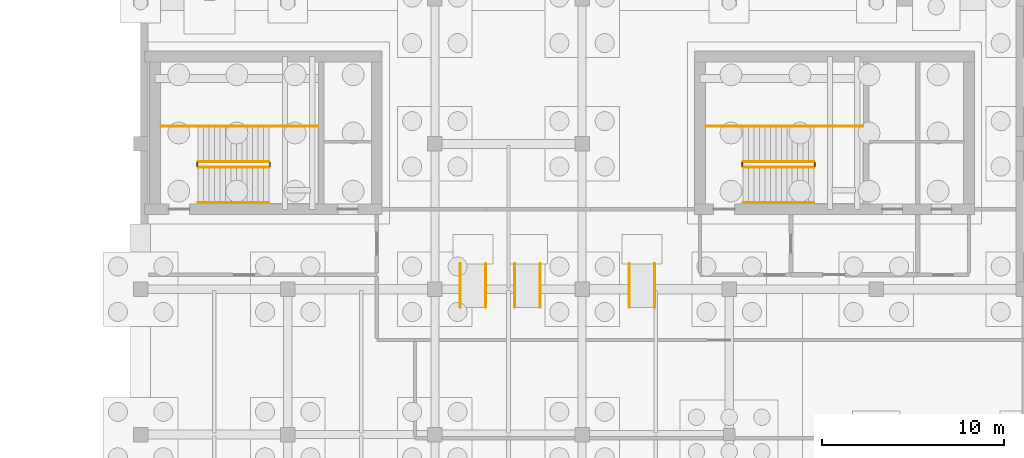
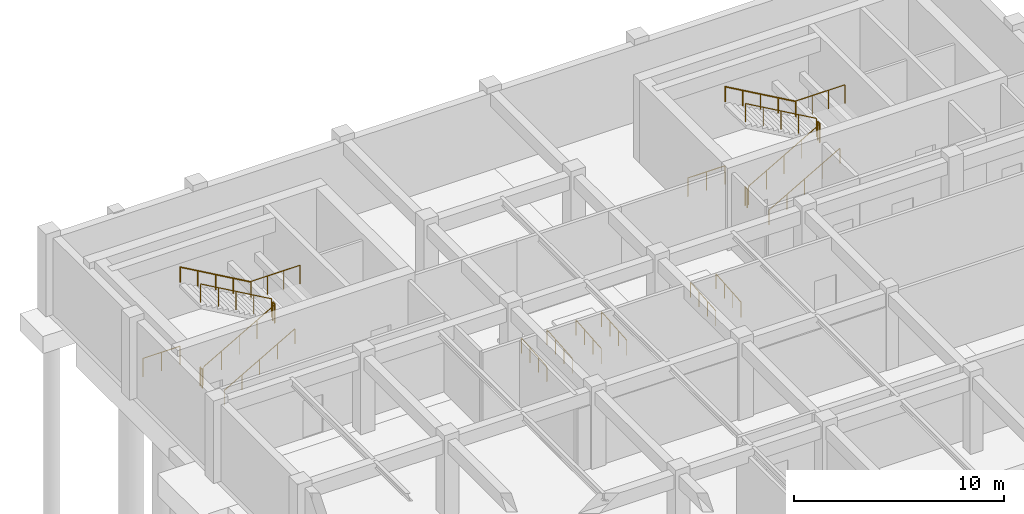
# One storey, part 24 of 25: 22 railings.
"""IFC4 building model written with IfcOpenShell, lengths in metres."""

from ifc_helpers import new_model, si_unit, direction, frame, origin, origin_2d, place, context, subcontext, project, spatial, circle, extrude, material, type_object, element, save


model = new_model("IFC4")

# Units and contexts
model_context = context("Model", 3, precision=1e-05, world=origin(), true_north=direction((0.0, 1.0)))
body_context = subcontext(model_context, "Body", "Model", "MODEL_VIEW")
ifc_project = project(units=[si_unit("LENGTHUNIT", "METRE"), si_unit("AREAUNIT", "SQUARE_METRE"), si_unit("VOLUMEUNIT", "CUBIC_METRE"), si_unit("PLANEANGLEUNIT", "RADIAN"), si_unit("MASSUNIT", "GRAM", prefix="KILO")], contexts=[model_context])

# Site, building, storey
site_placement = place(None, origin())
site = spatial("IfcSite", under=ifc_project, at=site_placement, CompositionType="ELEMENT")
building_placement = place(site_placement, origin())
building = spatial("IfcBuilding", under=site, at=building_placement, Name="Tarnveldt Square Police Headquarters", CompositionType="ELEMENT")
storey_placement = place(building_placement, frame((0.0, 0.0, -4.800048828125)))
storey = spatial("IfcBuildingStorey", under=building, at=storey_placement, Name="B1", CompositionType="ELEMENT", Elevation=-4.800048828125)

# Railings
ifc_material = material(Name="Steel 350W", Category="steel")
railing_type_1 = type_object("IfcRailingType", Name="RL-GR-1100", PredefinedType="GUARDRAIL", material=ifc_material)
railing_1_placement = place(storey_placement, frame((19.3701171875, 102.719970703125, 0.17138671875)))
element("IfcRailing", 1, at=railing_1_placement, inside=storey, type_object=railing_type_1, Name="B1 ST2 stair guard 1", PredefinedType="GUARDRAIL", context=body_context, shape_type="SweptSolid", body=[
    extrude(circle(Radius=0.02392578125, at=origin_2d()), frame((0.0, 0.0, 1.076171875), z_axis=(0.868219727965, 0.0, 0.496179910892), x_axis=(0.0, 1.0, 0.0)), (0.0, 0.0, 1.0), 4.491943359375),
    extrude(circle(Radius=0.02099609375, at=origin_2d()), origin(), (0.0, 0.0, 1.0), 1.052001953125),
    extrude(circle(Radius=0.02099609375, at=origin_2d()), frame((0.97509765625, 0.0, 0.55712890625)), (0.0, 0.0, 1.0), 1.052001953125),
    extrude(circle(Radius=0.02099609375, at=origin_2d()), frame((1.949951171875, 0.0, 1.1142578125)), (0.0, 0.0, 1.0), 1.052001953125),
    extrude(circle(Radius=0.02099609375, at=origin_2d()), frame((2.9248046875, 0.0, 1.671630859375)), (0.0, 0.0, 1.0), 1.052001953125),
    extrude(circle(Radius=0.02099609375, at=origin_2d()), frame((3.89990234375, 0.0, 2.228759765625)), (0.0, 0.0, 1.0), 1.052001953125),
])
railing_2_placement = place(storey_placement, frame((23.320068359375, 102.77001953125, 2.400146484375)))
element("IfcRailing", 2, at=railing_2_placement, inside=storey, type_object=railing_type_1, Name="B1 ST2 stair guard 2", PredefinedType="GUARDRAIL", context=body_context, shape_type="SweptSolid", body=[
    extrude(circle(Radius=0.02392578125, at=origin_2d()), frame((0.0, 0.0, 1.076171875), z_axis=(0.0, 1.0, 0.0), x_axis=(-1.0, 0.0, 0.0)), (0.0, 0.0, 1.0), 0.199951171875),
    extrude(circle(Radius=0.02099609375, at=origin_2d()), origin(), (0.0, 0.0, 1.0), 1.052001953125),
    extrude(circle(Radius=0.02099609375, at=origin_2d()), frame((0.0, 0.199951171875, 0.0)), (0.0, 0.0, 1.0), 1.052001953125),
])
railing_3_placement = place(storey_placement, frame((23.27001953125, 104.969970703125, 2.400146484375)))
element("IfcRailing", 3, at=railing_3_placement, inside=storey, type_object=railing_type_1, Name="B1 ST2 stair guard 3", PredefinedType="GUARDRAIL", context=body_context, shape_type="SweptSolid", body=[
    extrude(circle(Radius=0.02392578125, at=origin_2d()), frame((0.0, 0.0, 1.076171875), z_axis=(1.0, 0.0, 0.0), x_axis=(0.0, 1.0, 0.0)), (0.0, 0.0, 1.0), 2.699951171875),
    extrude(circle(Radius=0.02099609375, at=origin_2d()), origin(), (0.0, 0.0, 1.0), 1.052001953125),
    extrude(circle(Radius=0.02099609375, at=origin_2d()), frame((0.89990234375, 0.0, 0.0)), (0.0, 0.0, 1.0), 1.052001953125),
    extrude(circle(Radius=0.02099609375, at=origin_2d()), frame((1.800048828125, 0.0, 0.0)), (0.0, 0.0, 1.0), 1.052001953125),
    extrude(circle(Radius=0.02099609375, at=origin_2d()), frame((2.699951171875, 0.0, 0.0)), (0.0, 0.0, 1.0), 1.052001953125),
])
railing_4_placement = place(storey_placement, frame((23.27001953125, 103.02001953125, 2.571533203125)))
element("IfcRailing", 4, at=railing_4_placement, inside=storey, type_object=railing_type_1, Name="B1 ST2 stair guard 4", PredefinedType="GUARDRAIL", context=body_context, shape_type="SweptSolid", body=[
    extrude(circle(Radius=0.02392578125, at=origin_2d()), frame((0.0, 0.0, 1.076171875), z_axis=(-0.868243142124, 0.0, 0.496138938357), x_axis=(0.0, -1.0, 0.0)), (0.0, 0.0, 1.0), 4.49169921875),
    extrude(circle(Radius=0.02099609375, at=origin_2d()), origin(), (0.0, 0.0, 1.0), 1.052001953125),
    extrude(circle(Radius=0.02099609375, at=origin_2d()), frame((-0.97509765625, 0.0, 0.55712890625)), (0.0, 0.0, 1.0), 1.052001953125),
    extrude(circle(Radius=0.02099609375, at=origin_2d()), frame((-1.949951171875, 0.0, 1.1142578125)), (0.0, 0.0, 1.0), 1.052001953125),
    extrude(circle(Radius=0.02099609375, at=origin_2d()), frame((-2.9248046875, 0.0, 1.67138671875)), (0.0, 0.0, 1.0), 1.052001953125),
    extrude(circle(Radius=0.02099609375, at=origin_2d()), frame((-3.89990234375, 0.0, 2.228515625)), (0.0, 0.0, 1.0), 1.052001953125),
])
railing_5_placement = place(storey_placement, frame((19.320068359375, 102.77001953125, 0.0)))
element("IfcRailing", 5, at=railing_5_placement, inside=storey, type_object=railing_type_1, Name="B1 ST2 stair guard 5", PredefinedType="GUARDRAIL", context=body_context, shape_type="SweptSolid", body=[
    extrude(circle(Radius=0.02392578125, at=origin_2d()), frame((0.0, 0.0, 1.076171875), z_axis=(0.0, 1.0, 0.0), x_axis=(-1.0, 0.0, 0.0)), (0.0, 0.0, 1.0), 0.199951171875),
    extrude(circle(Radius=0.02099609375, at=origin_2d()), origin(), (0.0, 0.0, 1.0), 1.052001953125),
    extrude(circle(Radius=0.02099609375, at=origin_2d()), frame((0.0, 0.199951171875, 0.0)), (0.0, 0.0, 1.0), 1.052001953125),
])
railing_6_placement = place(storey_placement, frame((17.320068359375, 104.969970703125, 0.0)))
element("IfcRailing", 6, at=railing_6_placement, inside=storey, type_object=railing_type_1, Name="B1 ST2 stair guard 6", PredefinedType="GUARDRAIL", context=body_context, shape_type="SweptSolid", body=[
    extrude(circle(Radius=0.02392578125, at=origin_2d()), frame((0.0, 0.0, 1.076171875), z_axis=(1.0, 0.0, 0.0), x_axis=(0.0, 1.0, 0.0)), (0.0, 0.0, 1.0), 2.050048828125),
    extrude(circle(Radius=0.02099609375, at=origin_2d()), origin(), (0.0, 0.0, 1.0), 1.052001953125),
    extrude(circle(Radius=0.02099609375, at=origin_2d()), frame((1.02490234375, 0.0, 0.0)), (0.0, 0.0, 1.0), 1.052001953125),
    extrude(circle(Radius=0.02099609375, at=origin_2d()), frame((2.050048828125, 0.0, 0.0)), (0.0, 0.0, 1.0), 1.052001953125),
])
railing_7_placement = place(storey_placement, frame((49.3701171875, 102.719970703125, 0.17138671875)))
element("IfcRailing", 7, at=railing_7_placement, inside=storey, type_object=railing_type_1, Name="B1 ST3 stair guard 1", PredefinedType="GUARDRAIL", context=body_context, shape_type="SweptSolid", body=[
    extrude(circle(Radius=0.02392578125, at=origin_2d()), frame((0.0, 0.0, 1.076171875), z_axis=(0.868219727965, 0.0, 0.496179910892), x_axis=(0.0, 1.0, 0.0)), (0.0, 0.0, 1.0), 4.491943359375),
    extrude(circle(Radius=0.02099609375, at=origin_2d()), origin(), (0.0, 0.0, 1.0), 1.052001953125),
    extrude(circle(Radius=0.02099609375, at=origin_2d()), frame((0.97509765625, 0.0, 0.55712890625)), (0.0, 0.0, 1.0), 1.052001953125),
    extrude(circle(Radius=0.02099609375, at=origin_2d()), frame((1.949951171875, 0.0, 1.1142578125)), (0.0, 0.0, 1.0), 1.052001953125),
    extrude(circle(Radius=0.02099609375, at=origin_2d()), frame((2.9248046875, 0.0, 1.671630859375)), (0.0, 0.0, 1.0), 1.052001953125),
    extrude(circle(Radius=0.02099609375, at=origin_2d()), frame((3.89990234375, 0.0, 2.228759765625)), (0.0, 0.0, 1.0), 1.052001953125),
])
railing_8_placement = place(storey_placement, frame((53.320068359375, 102.77001953125, 2.400146484375)))
element("IfcRailing", 8, at=railing_8_placement, inside=storey, type_object=railing_type_1, Name="B1 ST3 stair guard 2", PredefinedType="GUARDRAIL", context=body_context, shape_type="SweptSolid", body=[
    extrude(circle(Radius=0.02392578125, at=origin_2d()), frame((0.0, 0.0, 1.076171875), z_axis=(0.0, 1.0, 0.0), x_axis=(-1.0, 0.0, 0.0)), (0.0, 0.0, 1.0), 0.199951171875),
    extrude(circle(Radius=0.02099609375, at=origin_2d()), origin(), (0.0, 0.0, 1.0), 1.052001953125),
    extrude(circle(Radius=0.02099609375, at=origin_2d()), frame((0.0, 0.199951171875, 0.0)), (0.0, 0.0, 1.0), 1.052001953125),
])
railing_9_placement = place(storey_placement, frame((53.27001953125, 104.969970703125, 2.400146484375)))
element("IfcRailing", 9, at=railing_9_placement, inside=storey, type_object=railing_type_1, Name="B1 ST3 stair guard 3", PredefinedType="GUARDRAIL", context=body_context, shape_type="SweptSolid", body=[
    extrude(circle(Radius=0.02392578125, at=origin_2d()), frame((0.0, 0.0, 1.076171875), z_axis=(1.0, 0.0, 0.0), x_axis=(0.0, 1.0, 0.0)), (0.0, 0.0, 1.0), 2.699951171875),
    extrude(circle(Radius=0.02099609375, at=origin_2d()), origin(), (0.0, 0.0, 1.0), 1.052001953125),
    extrude(circle(Radius=0.02099609375, at=origin_2d()), frame((0.89990234375, 0.0, 0.0)), (0.0, 0.0, 1.0), 1.052001953125),
    extrude(circle(Radius=0.02099609375, at=origin_2d()), frame((1.800048828125, 0.0, 0.0)), (0.0, 0.0, 1.0), 1.052001953125),
    extrude(circle(Radius=0.02099609375, at=origin_2d()), frame((2.699951171875, 0.0, 0.0)), (0.0, 0.0, 1.0), 1.052001953125),
])
railing_10_placement = place(storey_placement, frame((53.27001953125, 103.02001953125, 2.571533203125)))
element("IfcRailing", 10, at=railing_10_placement, inside=storey, type_object=railing_type_1, Name="B1 ST3 stair guard 4", PredefinedType="GUARDRAIL", context=body_context, shape_type="SweptSolid", body=[
    extrude(circle(Radius=0.02392578125, at=origin_2d()), frame((0.0, 0.0, 1.076171875), z_axis=(-0.868243142124, 0.0, 0.496138938357), x_axis=(0.0, -1.0, 0.0)), (0.0, 0.0, 1.0), 4.49169921875),
    extrude(circle(Radius=0.02099609375, at=origin_2d()), origin(), (0.0, 0.0, 1.0), 1.052001953125),
    extrude(circle(Radius=0.02099609375, at=origin_2d()), frame((-0.97509765625, 0.0, 0.55712890625)), (0.0, 0.0, 1.0), 1.052001953125),
    extrude(circle(Radius=0.02099609375, at=origin_2d()), frame((-1.949951171875, 0.0, 1.1142578125)), (0.0, 0.0, 1.0), 1.052001953125),
    extrude(circle(Radius=0.02099609375, at=origin_2d()), frame((-2.9248046875, 0.0, 1.67138671875)), (0.0, 0.0, 1.0), 1.052001953125),
    extrude(circle(Radius=0.02099609375, at=origin_2d()), frame((-3.89990234375, 0.0, 2.228515625)), (0.0, 0.0, 1.0), 1.052001953125),
])
railing_11_placement = place(storey_placement, frame((49.320068359375, 102.77001953125, 0.0)))
element("IfcRailing", 11, at=railing_11_placement, inside=storey, type_object=railing_type_1, Name="B1 ST3 stair guard 5", PredefinedType="GUARDRAIL", context=body_context, shape_type="SweptSolid", body=[
    extrude(circle(Radius=0.02392578125, at=origin_2d()), frame((0.0, 0.0, 1.076171875), z_axis=(0.0, 1.0, 0.0), x_axis=(-1.0, 0.0, 0.0)), (0.0, 0.0, 1.0), 0.199951171875),
    extrude(circle(Radius=0.02099609375, at=origin_2d()), origin(), (0.0, 0.0, 1.0), 1.052001953125),
    extrude(circle(Radius=0.02099609375, at=origin_2d()), frame((0.0, 0.199951171875, 0.0)), (0.0, 0.0, 1.0), 1.052001953125),
])
railing_12_placement = place(storey_placement, frame((47.320068359375, 104.969970703125, 0.0)))
element("IfcRailing", 12, at=railing_12_placement, inside=storey, type_object=railing_type_1, Name="B1 ST3 stair guard 6", PredefinedType="GUARDRAIL", context=body_context, shape_type="SweptSolid", body=[
    extrude(circle(Radius=0.02392578125, at=origin_2d()), frame((0.0, 0.0, 1.076171875), z_axis=(1.0, 0.0, 0.0), x_axis=(0.0, 1.0, 0.0)), (0.0, 0.0, 1.0), 2.050048828125),
    extrude(circle(Radius=0.02099609375, at=origin_2d()), origin(), (0.0, 0.0, 1.0), 1.052001953125),
    extrude(circle(Radius=0.02099609375, at=origin_2d()), frame((1.02490234375, 0.0, 0.0)), (0.0, 0.0, 1.0), 1.052001953125),
    extrude(circle(Radius=0.02099609375, at=origin_2d()), frame((2.050048828125, 0.0, 0.0)), (0.0, 0.0, 1.0), 1.052001953125),
])
railing_type_2 = type_object("IfcRailingType", Name="RL-HR-900", PredefinedType="HANDRAIL", material=ifc_material)
railing_13_placement = place(storey_placement, frame((19.3701171875, 100.77001953125, 0.17138671875)))
element("IfcRailing", 13, at=railing_13_placement, inside=storey, type_object=railing_type_2, Name="B1 ST2 stair handrail 1", PredefinedType="HANDRAIL", context=body_context, shape_type="SweptSolid", body=[
    extrude(circle(Radius=0.02392578125, at=origin_2d()), frame((0.0, 0.0, 0.8759765625), z_axis=(0.868219727965, 0.0, 0.496179910892), x_axis=(0.0, 1.0, 0.0)), (0.0, 0.0, 1.0), 4.491943359375),
    extrude(circle(Radius=0.02099609375, at=origin_2d()), origin(), (0.0, 0.0, 1.0), 0.851806640625),
    extrude(circle(Radius=0.02099609375, at=origin_2d()), frame((0.97509765625, 0.0, 0.55712890625)), (0.0, 0.0, 1.0), 0.851806640625),
    extrude(circle(Radius=0.02099609375, at=origin_2d()), frame((1.949951171875, 0.0, 1.1142578125)), (0.0, 0.0, 1.0), 0.851806640625),
    extrude(circle(Radius=0.02099609375, at=origin_2d()), frame((2.9248046875, 0.0, 1.671630859375)), (0.0, 0.0, 1.0), 0.851806640625),
    extrude(circle(Radius=0.02099609375, at=origin_2d()), frame((3.89990234375, 0.0, 2.228759765625)), (0.0, 0.0, 1.0), 0.851806640625),
])
railing_14_placement = place(storey_placement, frame((23.27001953125, 104.969970703125, 2.571533203125)))
element("IfcRailing", 14, at=railing_14_placement, inside=storey, type_object=railing_type_2, Name="B1 ST2 stair handrail 2", PredefinedType="HANDRAIL", context=body_context, shape_type="SweptSolid", body=[
    extrude(circle(Radius=0.02392578125, at=origin_2d()), frame((0.0, 0.0, 0.8759765625), z_axis=(-0.868243142124, 0.0, 0.496138938357), x_axis=(0.0, -1.0, 0.0)), (0.0, 0.0, 1.0), 4.49169921875),
    extrude(circle(Radius=0.02099609375, at=origin_2d()), origin(), (0.0, 0.0, 1.0), 0.851806640625),
    extrude(circle(Radius=0.02099609375, at=origin_2d()), frame((-0.97509765625, 0.0, 0.55712890625)), (0.0, 0.0, 1.0), 0.851806640625),
    extrude(circle(Radius=0.02099609375, at=origin_2d()), frame((-1.949951171875, 0.0, 1.1142578125)), (0.0, 0.0, 1.0), 0.851806640625),
    extrude(circle(Radius=0.02099609375, at=origin_2d()), frame((-2.9248046875, 0.0, 1.67138671875)), (0.0, 0.0, 1.0), 0.851806640625),
    extrude(circle(Radius=0.02099609375, at=origin_2d()), frame((-3.89990234375, 0.0, 2.228515625)), (0.0, 0.0, 1.0), 0.851806640625),
])
railing_15_placement = place(storey_placement, frame((49.3701171875, 100.77001953125, 0.17138671875)))
element("IfcRailing", 15, at=railing_15_placement, inside=storey, type_object=railing_type_2, Name="B1 ST3 stair handrail 1", PredefinedType="HANDRAIL", context=body_context, shape_type="SweptSolid", body=[
    extrude(circle(Radius=0.02392578125, at=origin_2d()), frame((0.0, 0.0, 0.8759765625), z_axis=(0.868219727965, 0.0, 0.496179910892), x_axis=(0.0, 1.0, 0.0)), (0.0, 0.0, 1.0), 4.491943359375),
    extrude(circle(Radius=0.02099609375, at=origin_2d()), origin(), (0.0, 0.0, 1.0), 0.851806640625),
    extrude(circle(Radius=0.02099609375, at=origin_2d()), frame((0.97509765625, 0.0, 0.55712890625)), (0.0, 0.0, 1.0), 0.851806640625),
    extrude(circle(Radius=0.02099609375, at=origin_2d()), frame((1.949951171875, 0.0, 1.1142578125)), (0.0, 0.0, 1.0), 0.851806640625),
    extrude(circle(Radius=0.02099609375, at=origin_2d()), frame((2.9248046875, 0.0, 1.671630859375)), (0.0, 0.0, 1.0), 0.851806640625),
    extrude(circle(Radius=0.02099609375, at=origin_2d()), frame((3.89990234375, 0.0, 2.228759765625)), (0.0, 0.0, 1.0), 0.851806640625),
])
railing_16_placement = place(storey_placement, frame((53.27001953125, 104.969970703125, 2.571533203125)))
element("IfcRailing", 16, at=railing_16_placement, inside=storey, type_object=railing_type_2, Name="B1 ST3 stair handrail 2", PredefinedType="HANDRAIL", context=body_context, shape_type="SweptSolid", body=[
    extrude(circle(Radius=0.02392578125, at=origin_2d()), frame((0.0, 0.0, 0.8759765625), z_axis=(-0.868243142124, 0.0, 0.496138938357), x_axis=(0.0, -1.0, 0.0)), (0.0, 0.0, 1.0), 4.49169921875),
    extrude(circle(Radius=0.02099609375, at=origin_2d()), origin(), (0.0, 0.0, 1.0), 0.851806640625),
    extrude(circle(Radius=0.02099609375, at=origin_2d()), frame((-0.97509765625, 0.0, 0.55712890625)), (0.0, 0.0, 1.0), 0.851806640625),
    extrude(circle(Radius=0.02099609375, at=origin_2d()), frame((-1.949951171875, 0.0, 1.1142578125)), (0.0, 0.0, 1.0), 0.851806640625),
    extrude(circle(Radius=0.02099609375, at=origin_2d()), frame((-2.9248046875, 0.0, 1.67138671875)), (0.0, 0.0, 1.0), 0.851806640625),
    extrude(circle(Radius=0.02099609375, at=origin_2d()), frame((-3.89990234375, 0.0, 2.228515625)), (0.0, 0.0, 1.0), 0.851806640625),
])
for number, where, name in (
    (17, (33.800048828125, 95.0, 0.0), "Core K2 Accessible Lobby Ramp PR2 Left Handrail"),
    (18, (35.199951171875, 95.0, 0.0), "Core K2 Accessible Lobby Ramp PR2 Right Handrail"),
    (19, (36.800048828125, 95.0, 0.0), "Core K3 Accessible Lobby Ramp PR3 Left Handrail"),
    (20, (38.199951171875, 95.0, 0.0), "Core K3 Accessible Lobby Ramp PR3 Right Handrail"),
    (21, (43.10009765625, 95.0, 0.0), "Core K3 South Lobby Ramp PR5 Left Handrail"),
    (22, (44.5, 95.0, 0.0), "Core K3 South Lobby Ramp PR5 Right Handrail"),
):
    element("IfcRailing", number, at=place(storey_placement, frame(where)), inside=storey, type_object=railing_type_2, Name=name, PredefinedType="HANDRAIL", context=body_context, shape_type="SweptSolid", body=[
        extrude(circle(Radius=0.02392578125, at=origin_2d()), frame((0.0, 0.0, 0.8759765625), z_axis=(0.0, 0.996547156423, 0.083028700011), x_axis=(-1.0, 0.0, 0.0)), (0.0, 0.0, 1.0), 2.408203125),
        extrude(circle(Radius=0.02099609375, at=origin_2d()), origin(), (0.0, 0.0, 1.0), 0.851806640625),
        extrude(circle(Radius=0.02099609375, at=origin_2d()), frame((0.0, 0.800048828125, 0.066650390625)), (0.0, 0.0, 1.0), 0.851806640625),
        extrude(circle(Radius=0.02099609375, at=origin_2d()), frame((0.0, 1.599853515625, 0.13330078125)), (0.0, 0.0, 1.0), 0.851806640625),
        extrude(circle(Radius=0.02099609375, at=origin_2d()), frame((0.0, 2.39990234375, 0.199951171875)), (0.0, 0.0, 1.0), 0.851806640625),
    ])

save(model, "model.ifc")
